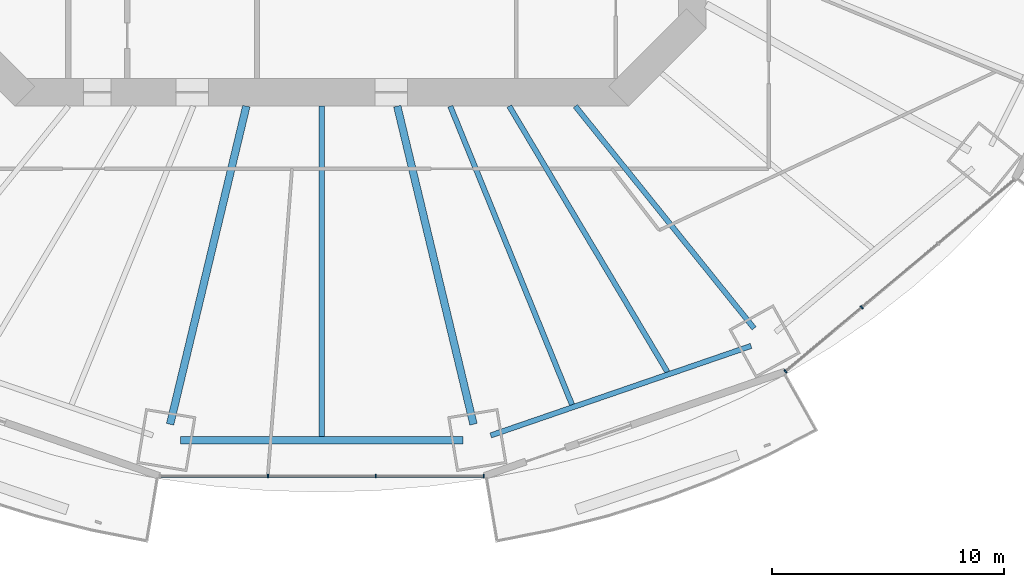
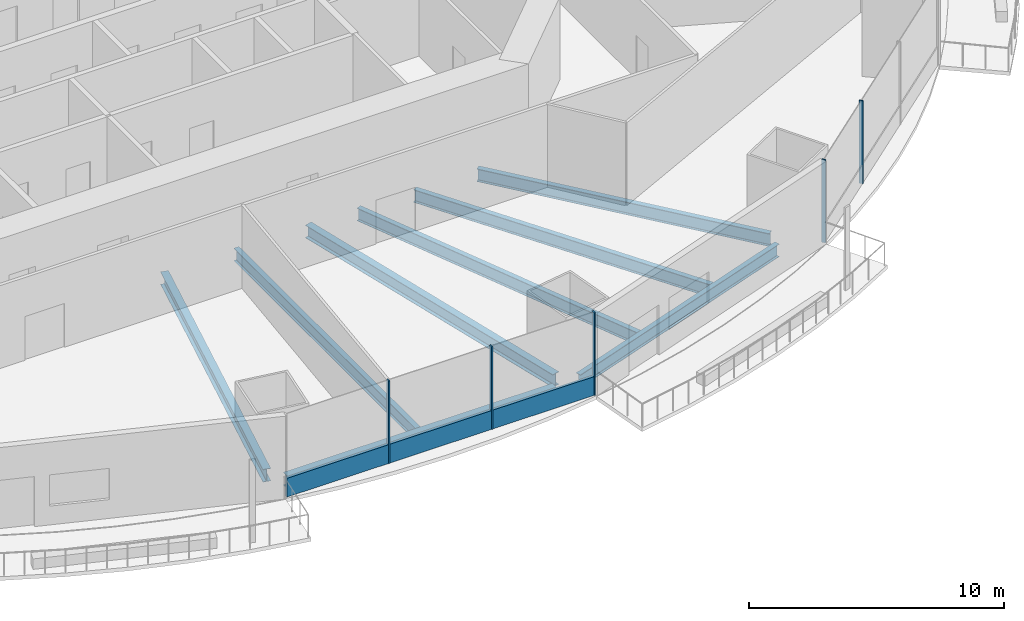
# One storey, part 4 of 23: 8 beams, 6 members, 2 elements without a shape of their own.
"""IFC4 building model written with IfcOpenShell, lengths in metres."""

from ifc_helpers import new_model, si_unit, direction, frame, origin, origin_2d, place, context, subcontext, project, spatial, rectangle, i_section, extrude, material, material_profile, profile_set, type_object, element, aggregate, save


model = new_model("IFC4")

# Units and contexts
model_context = context("Model", 3, precision=1e-05, world=origin(), true_north=direction((0.0, 1.0)))
body_context = subcontext(model_context, "Body", "Model", "MODEL_VIEW")
ifc_project = project(units=[si_unit("LENGTHUNIT", "METRE"), si_unit("AREAUNIT", "SQUARE_METRE"), si_unit("VOLUMEUNIT", "CUBIC_METRE"), si_unit("PLANEANGLEUNIT", "RADIAN"), si_unit("MASSUNIT", "GRAM", prefix="KILO")], contexts=[model_context])

# Site, building, storey
site_placement = place(None, origin())
site = spatial("IfcSite", under=ifc_project, at=site_placement, CompositionType="ELEMENT")
building_placement = place(site_placement, origin())
building = spatial("IfcBuilding", under=site, at=building_placement, Name="Marenthal Gate Tower", CompositionType="ELEMENT")
storey_placement = place(building_placement, frame((0.0, 0.0, 62.050048828125)))
storey = spatial("IfcBuildingStorey", under=building, at=storey_placement, Name="L11", CompositionType="ELEMENT", Elevation=62.050048828125)

# Curtain wall, members
ifc_material_1 = material(Name="Aluminium and glass", Category="aluminium")
curtain_wall_type = type_object("IfcCurtainWallType", Name="Curtain wall typical low", PredefinedType="NOTDEFINED", material=ifc_material_1)
curtain_wall_1_placement = place(storey_placement, origin())
curtain_wall_1 = element("IfcCurtainWall", 1, at=curtain_wall_1_placement, inside=storey, type_object=curtain_wall_type, Name="Curtain wall L11 bay 12", PredefinedType="NOTDEFINED")
ifc_material_2 = material(Name="Aluminium", Category="aluminium")
ifc_material_profile_1 = material_profile(ifc_material_2, rectangle(XDim=0.159912109375, YDim=0.06005859375, at=origin_2d()), Name="60x160 aluminium mullion")
ifc_profile_set_1 = profile_set([ifc_material_profile_1], Name="Aluminium")
member_type_1 = type_object("IfcMemberType", Name="Mullion 60x160 typical low", PredefinedType="MULLION", material=ifc_profile_set_1)
member_1_placement = place(storey_placement, frame((-2.330810546875, -29.569580078125, 0.0), z_axis=(0.0, 0.0, 1.0), x_axis=(0.0, 1.0, 0.0)))
member_1 = element("IfcMember", 2, at=member_1_placement, type_object=member_type_1, Name="Mullion L11 bay 12.2", PredefinedType="MULLION", context=body_context, shape_type="SweptSolid", body=[
    extrude(rectangle(XDim=0.159912109375, YDim=0.06005859375, at=origin_2d()), origin(), (0.0, 0.0, 1.0), 3.969970703125),
])
member_2_placement = place(storey_placement, frame((2.330810546875, -29.569580078125, 0.0), z_axis=(0.0, 0.0, 1.0), x_axis=(0.0, 1.0, 0.0)))
member_2 = element("IfcMember", 3, at=member_2_placement, type_object=member_type_1, Name="Mullion L11 bay 12.3", PredefinedType="MULLION", context=body_context, shape_type="SweptSolid", body=[
    extrude(rectangle(XDim=0.159912109375, YDim=0.06005859375, at=origin_2d()), origin(), (0.0, 0.0, 1.0), 3.969970703125),
])
member_3_placement = place(storey_placement, frame((6.9921875, -29.569580078125, 0.0), z_axis=(0.0, 0.0, 1.0), x_axis=(0.0, 1.0, 0.0)))
member_3 = element("IfcMember", 4, at=member_3_placement, type_object=member_type_1, Name="Mullion L11 bay 12.4", PredefinedType="MULLION", context=body_context, shape_type="SweptSolid", body=[
    extrude(rectangle(XDim=0.159912109375, YDim=0.06005859375, at=origin_2d()), origin(), (0.0, 0.0, 1.0), 3.969970703125),
])

curtain_wall_2_placement = place(storey_placement, origin())
curtain_wall_2 = element("IfcCurtainWall", 5, at=curtain_wall_2_placement, inside=storey, type_object=curtain_wall_type, Name="Curtain wall L11 bay 14", PredefinedType="NOTDEFINED")
member_4_placement = place(storey_placement, frame((20.020751953125, -25.048828125, 0.0), z_axis=(0.0, 0.0, 1.0), x_axis=(-0.642111737517, 0.766611059497, 0.0)))
member_4 = element("IfcMember", 6, at=member_4_placement, type_object=member_type_1, Name="Mullion L11 bay 14.1", PredefinedType="MULLION", context=body_context, shape_type="SweptSolid", body=[
    extrude(rectangle(XDim=0.159912109375, YDim=0.06005859375, at=origin_2d()), origin(), (0.0, 0.0, 1.0), 3.969970703125),
])
member_5_placement = place(storey_placement, frame((23.315673828125, -22.288818359375, 0.0), z_axis=(0.0, 0.0, 1.0), x_axis=(-0.642111737517, 0.766611059497, 0.0)))
member_5 = element("IfcMember", 7, at=member_5_placement, type_object=member_type_1, Name="Mullion L11 bay 14.2", PredefinedType="MULLION", context=body_context, shape_type="SweptSolid", body=[
    extrude(rectangle(XDim=0.159912109375, YDim=0.06005859375, at=origin_2d()), origin(), (0.0, 0.0, 1.0), 3.969970703125),
])
aggregate(curtain_wall_2, [member_4, member_5])

# Member
ifc_material_3 = material(Name="Aluminium", Category="aluminium")
ifc_material_profile_2 = material_profile(ifc_material_3, rectangle(XDim=0.1201171875, YDim=0.89990234375, at=origin_2d()), Name="120x900 aluminium transom")
ifc_profile_set_2 = profile_set([ifc_material_profile_2], Name="Aluminium")
member_type_2 = type_object("IfcMemberType", Name="Transom 120x900 typical low", PredefinedType="USERDEFINED", material=ifc_profile_set_2)
member_6_placement = place(storey_placement, frame((-6.96240234375, -29.569580078125, 0.449951171875), z_axis=(1.0, 0.0, 0.0), x_axis=(0.0, 1.0, 0.0)))
member_6 = element("IfcMember", 8, at=member_6_placement, type_object=member_type_2, Name="Transom L11 bay 12", ObjectType="TRANSOM", PredefinedType="USERDEFINED", context=body_context, shape_type="SweptSolid", body=[
    extrude(rectangle(XDim=0.1201171875, YDim=0.89990234375, at=origin_2d()), origin(), (0.0, 0.0, 1.0), 13.9248046875),
])

aggregate(curtain_wall_1, [member_1, member_2, member_3, member_6])

# Beams
ifc_material_4 = material(Name="Steel S355", Category="steel")
ifc_material_profile_3 = material_profile(ifc_material_4, i_section(OverallWidth=0.22900390625, OverallDepth=0.612060546875, WebThickness=0.011962890625, FlangeThickness=0.01953125, FilletRadius=0.0126953125, at=origin_2d()), Name="W610X125")
ifc_profile_set_3 = profile_set([ifc_material_profile_3], Name="Steel S355")
beam_type_1 = type_object("IfcBeamType", Name="W610X125 beam", PredefinedType="BEAM", material=ifc_profile_set_3)
beam_1_placement = place(storey_placement, frame((18.669921875, -23.195068359375, -0.486083984375), z_axis=(-0.62702730147, 0.778997280618, 0.0), x_axis=(-0.778997280618, -0.62702730147, 0.0)))
element("IfcBeam", 9, at=beam_1_placement, inside=storey, type_object=beam_type_1, Name="BM-L11-14", PredefinedType="BEAM", context=body_context, shape_type="SweptSolid", body=[
    extrude(i_section(OverallWidth=0.22900390625, OverallDepth=0.612060546875, WebThickness=0.011962890625, FlangeThickness=0.01953125, FilletRadius=0.0126953125, at=origin_2d()), origin(), (0.0, 0.0, 1.0), 12.317138671875),
])
beam_2_placement = place(storey_placement, frame((0.0, -27.857666015625, -0.486083984375), z_axis=(0.0, 1.0, 0.0), x_axis=(-1.0, 0.0, 0.0)))
element("IfcBeam", 10, at=beam_2_placement, inside=storey, type_object=beam_type_1, Name="BM-L11-34", PredefinedType="BEAM", context=body_context, shape_type="SweptSolid", body=[
    extrude(i_section(OverallWidth=0.22900390625, OverallDepth=0.612060546875, WebThickness=0.011962890625, FlangeThickness=0.01953125, FilletRadius=0.0126953125, at=origin_2d()), origin(), (0.0, 0.0, 1.0), 14.257568359375),
])
beam_3_placement = place(storey_placement, frame((10.805908203125, -26.491943359375, -0.486083984375), z_axis=(-0.377685635209, 0.925933885845, 0.0), x_axis=(-0.925933885845, -0.377685635209, 0.0)))
element("IfcBeam", 11, at=beam_3_placement, inside=storey, type_object=beam_type_1, Name="BM-L11-35", PredefinedType="BEAM", context=body_context, shape_type="SweptSolid", body=[
    extrude(i_section(OverallWidth=0.22900390625, OverallDepth=0.612060546875, WebThickness=0.011962890625, FlangeThickness=0.01953125, FilletRadius=0.0126953125, at=origin_2d()), origin(), (0.0, 0.0, 1.0), 13.923095703125),
])
beam_4_placement = place(storey_placement, frame((14.9248046875, -25.07568359375, -0.486083984375), z_axis=(-0.51146264721, 0.859305510578, 0.0), x_axis=(-0.859305510578, -0.51146264721, 0.0)))
element("IfcBeam", 12, at=beam_4_placement, inside=storey, type_object=beam_type_1, Name="BM-L11-36", PredefinedType="BEAM", context=body_context, shape_type="SweptSolid", body=[
    extrude(i_section(OverallWidth=0.22900390625, OverallDepth=0.612060546875, WebThickness=0.011962890625, FlangeThickness=0.01953125, FilletRadius=0.0126953125, at=origin_2d()), origin(), (0.0, 0.0, 1.0), 13.3544921875),
])
beam_5_placement = place(storey_placement, frame((7.296142578125, -27.81982421875, -0.486083984375), z_axis=(0.945656601656, 0.325167021304, 0.0), x_axis=(-0.325167021304, 0.945656601656, 0.0)))
element("IfcBeam", 13, at=beam_5_placement, inside=storey, type_object=beam_type_1, Name="BM-L11-53", PredefinedType="BEAM", context=body_context, shape_type="SweptSolid", body=[
    extrude(i_section(OverallWidth=0.22900390625, OverallDepth=0.612060546875, WebThickness=0.011962890625, FlangeThickness=0.01953125, FilletRadius=0.0126953125, at=origin_2d()), origin(), (0.0, 0.0, 1.0), 11.88623046875),
])
ifc_material_5 = material(Name="Steel S355", Category="steel")
ifc_material_profile_4 = material_profile(ifc_material_5, i_section(OverallWidth=0.324951171875, OverallDepth=0.612060546875, WebThickness=0.0126953125, FlangeThickness=0.01904296875, FilletRadius=0.0126953125, at=origin_2d()), Name="W610X155")
ifc_profile_set_4 = profile_set([ifc_material_profile_4], Name="Steel S355")
beam_type_2 = type_object("IfcBeamType", Name="W610X155 beam", PredefinedType="BEAM", material=ifc_profile_set_4)
for number, where, z_axis, x_axis, name in (
    (14, (-6.55029296875, -27.336181640625, -0.486083984375), (0.233027773501, 0.972470080145, 0.0), (-0.972470080145, 0.233027773501, 0.0), "BM-L11-12"),
    (15, (6.55029296875, -27.336181640625, -0.486083984375), (-0.233027773501, 0.972470080145, 0.0), (-0.972470080145, -0.233027773501, 0.0), "BM-L11-13"),
):
    element("IfcBeam", number, at=place(storey_placement, frame(where, z_axis=z_axis, x_axis=x_axis)), inside=storey, type_object=beam_type_2, Name=name, PredefinedType="BEAM", context=body_context, shape_type="SweptSolid", body=[
        extrude(i_section(OverallWidth=0.324951171875, OverallDepth=0.612060546875, WebThickness=0.0126953125, FlangeThickness=0.01904296875, FilletRadius=0.0126953125, at=origin_2d()), origin(), (0.0, 0.0, 1.0), 14.125),
    ])
beam_6_placement = place(storey_placement, frame((-6.09912109375, -28.02001953125, -0.486083984375), z_axis=(1.0, 0.0, 0.0), x_axis=(0.0, 1.0, 0.0)))
element("IfcBeam", 16, at=beam_6_placement, inside=storey, type_object=beam_type_2, Name="BM-L11-52", PredefinedType="BEAM", context=body_context, shape_type="SweptSolid", body=[
    extrude(i_section(OverallWidth=0.324951171875, OverallDepth=0.612060546875, WebThickness=0.0126953125, FlangeThickness=0.01904296875, FilletRadius=0.0126953125, at=origin_2d()), origin(), (0.0, 0.0, 1.0), 12.1982421875),
])

save(model, "model.ifc")
